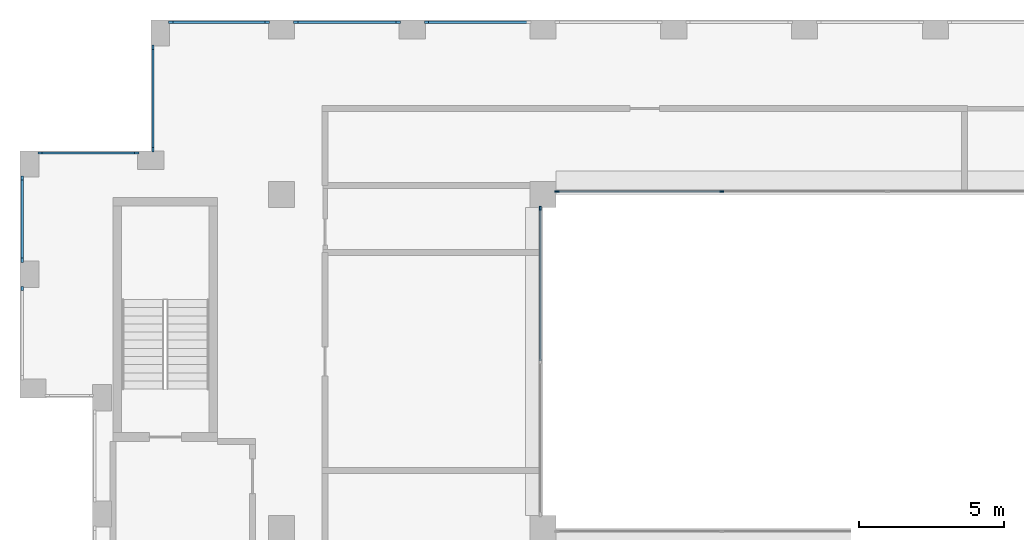
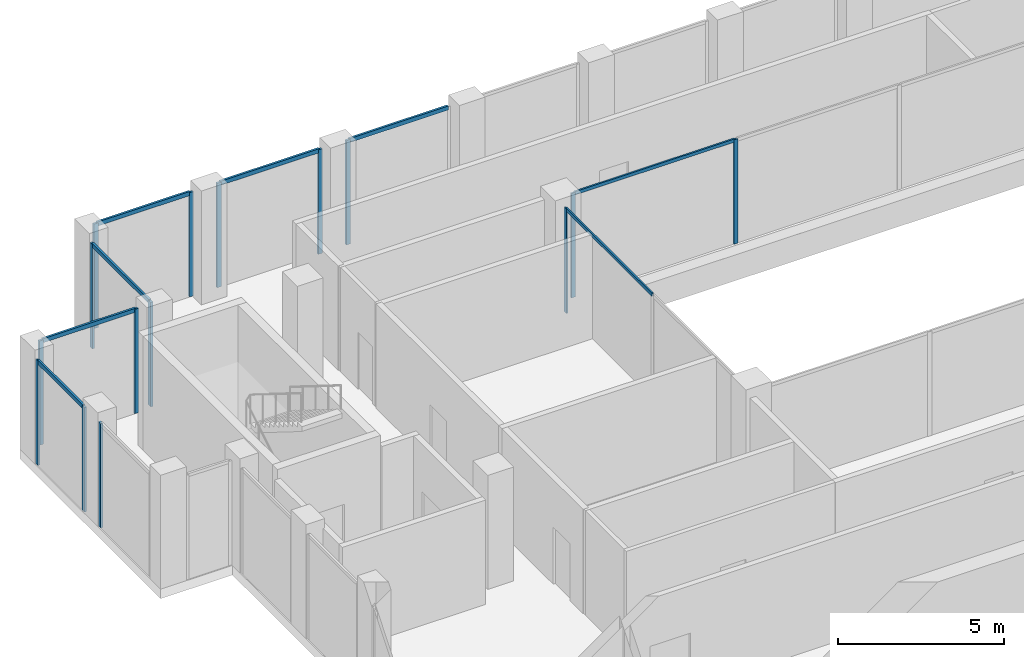
# One storey, part 7 of 15: 23 members, 9 elements without a shape of their own.
"""IFC4 building model written with IfcOpenShell, lengths in metres."""

from ifc_helpers import new_model, si_unit, direction, frame, origin, origin_2d, place, context, subcontext, project, spatial, rectangle, extrude, material, layer, layer_set, material_profile, profile_set, type_object, element, aggregate, save


model = new_model("IFC4")

# Units and contexts
model_context = context("Model", 3, precision=1e-05, world=origin(), true_north=direction((0.0, 1.0)))
body_context = subcontext(model_context, "Body", "Model", "MODEL_VIEW")
ifc_project = project(units=[si_unit("LENGTHUNIT", "METRE"), si_unit("AREAUNIT", "SQUARE_METRE"), si_unit("VOLUMEUNIT", "CUBIC_METRE"), si_unit("PLANEANGLEUNIT", "RADIAN"), si_unit("MASSUNIT", "GRAM", prefix="KILO")], contexts=[model_context])

# Site, building, storey
site_placement = place(None, origin())
site = spatial("IfcSite", under=ifc_project, at=site_placement, CompositionType="ELEMENT")
building_placement = place(site_placement, origin())
building = spatial("IfcBuilding", under=site, at=building_placement, Name="Brigalow Station Residences", CompositionType="ELEMENT")
storey_placement = place(building_placement, frame((0.0, 0.0, 240.0)))
storey = spatial("IfcBuildingStorey", under=building, at=storey_placement, Name="L69", CompositionType="ELEMENT", Elevation=240.0)

# Curtain wall, members
ifc_material_1 = material(Name="Aluminium", Category="aluminium")
ifc_layer_1 = layer(ifc_material_1, 0.14990234375)
ifc_layer_set_1 = layer_set([ifc_layer_1], Name="ATRIUM FIRE-RATED GLAZING CURTAIN WALL")
curtain_wall_type_1 = type_object("IfcCurtainWallType", Name="ATRIUM FIRE-RATED GLAZING CURTAIN WALL", PredefinedType="NOTDEFINED", material=ifc_layer_set_1)
curtain_wall_1_placement = place(storey_placement, origin())
curtain_wall_1 = element("IfcCurtainWall", 1, at=curtain_wall_1_placement, inside=storey, type_object=curtain_wall_type_1, Name="L69/cw/atrium-N", PredefinedType="NOTDEFINED")
ifc_material_2 = material(Name="Aluminium", Category="aluminium")
ifc_material_profile_1 = material_profile(ifc_material_2, rectangle(XDim=0.06005859375, YDim=0.14990234375, at=origin_2d()), Name="ATRIUM FIRE-RATED GLAZING MULLION 60x150")
ifc_profile_set_1 = profile_set([ifc_material_profile_1], Name="Aluminium")
member_type_1 = type_object("IfcMemberType", Name="ATRIUM FIRE-RATED GLAZING MULLION 60x150", PredefinedType="MULLION", material=ifc_profile_set_1)
member_1_placement = place(storey_placement, frame((33.14990234375, 35.60009765625, 0.0), z_axis=(0.0, 0.0, 1.0), x_axis=(0.0, -1.0, 0.0)))
member_1 = element("IfcMember", 2, at=member_1_placement, type_object=member_type_1, Name="L69/cw/atrium-N/M02", PredefinedType="MULLION", context=body_context, shape_type="SweptSolid", body=[
    extrude(rectangle(XDim=0.06005859375, YDim=0.14990234375, at=origin_2d()), origin(), (0.0, 0.0, 1.0), 3.85009765625),
])
member_2_placement = place(storey_placement, frame((27.47998046875, 35.60009765625, 0.0), z_axis=(0.0, 0.0, 1.0), x_axis=(0.0, -1.0, 0.0)))
member_2 = element("IfcMember", 3, at=member_2_placement, type_object=member_type_1, Name="L69/cw/atrium-N/M03", PredefinedType="MULLION", context=body_context, shape_type="SweptSolid", body=[
    extrude(rectangle(XDim=0.06005859375, YDim=0.14990234375, at=origin_2d()), origin(), (0.0, 0.0, 1.0), 3.85009765625),
])

# Curtain wall, member
curtain_wall_2_placement = place(storey_placement, origin())
curtain_wall_2 = element("IfcCurtainWall", 4, at=curtain_wall_2_placement, inside=storey, type_object=curtain_wall_type_1, Name="L69/cw/atrium-W", PredefinedType="NOTDEFINED")
member_3_placement = place(storey_placement, frame((26.89990234375, 35.02001953125, 0.0), z_axis=(0.0, 0.0, 1.0), x_axis=(1.0, 0.0, 0.0)))
member_3 = element("IfcMember", 5, at=member_3_placement, type_object=member_type_1, Name="L69/cw/atrium-W/M00", PredefinedType="MULLION", context=body_context, shape_type="SweptSolid", body=[
    extrude(rectangle(XDim=0.06005859375, YDim=0.14990234375, at=origin_2d()), origin(), (0.0, 0.0, 1.0), 3.85009765625),
])

# Member
ifc_material_3 = material(Name="Aluminium", Category="aluminium")
ifc_material_profile_2 = material_profile(ifc_material_3, rectangle(XDim=0.06005859375, YDim=0.1201171875, at=origin_2d()), Name="ATRIUM FIRE-RATED GLAZING TRANSOM 60x120")
ifc_profile_set_2 = profile_set([ifc_material_profile_2], Name="Aluminium")
member_type_2 = type_object("IfcMemberType", Name="ATRIUM FIRE-RATED GLAZING TRANSOM 60x120", PredefinedType="USERDEFINED", material=ifc_profile_set_2)
member_4_placement = place(storey_placement, frame((33.1201171875, 35.60009765625, 3.820068359375), z_axis=(-1.0, 0.0, 0.0), x_axis=(0.0, -1.0, 0.0)))
member_4 = element("IfcMember", 6, at=member_4_placement, type_object=member_type_2, Name="L69/cw/atrium-N/T02-00", ObjectType="TRANSOM", PredefinedType="USERDEFINED", context=body_context, shape_type="SweptSolid", body=[
    extrude(rectangle(XDim=0.06005859375, YDim=0.1201171875, at=origin_2d()), origin(), (0.0, 0.0, 1.0), 5.610107421875),
])

aggregate(curtain_wall_1, [member_1, member_2, member_4])

member_5_placement = place(storey_placement, frame((26.89990234375, 34.989990234375, 3.820068359375), z_axis=(0.0, -1.0, 0.0), x_axis=(1.0, 0.0, 0.0)))
member_5 = element("IfcMember", 7, at=member_5_placement, type_object=member_type_2, Name="L69/cw/atrium-W/T00-00", ObjectType="TRANSOM", PredefinedType="USERDEFINED", context=body_context, shape_type="SweptSolid", body=[
    extrude(rectangle(XDim=0.06005859375, YDim=0.1201171875, at=origin_2d()), origin(), (0.0, 0.0, 1.0), 5.2099609375),
])

aggregate(curtain_wall_2, [member_3, member_5])

# Curtain wall, member
ifc_material_4 = material(Name="Aluminium", Category="aluminium")
ifc_layer_2 = layer(ifc_material_4, 0.14990234375)
ifc_layer_set_2 = layer_set([ifc_layer_2], Name="CROWN CURTAIN WALL")
curtain_wall_type_2 = type_object("IfcCurtainWallType", Name="CROWN CURTAIN WALL", PredefinedType="NOTDEFINED", material=ifc_layer_set_2)
curtain_wall_3_placement = place(storey_placement, origin())
curtain_wall_3 = element("IfcCurtainWall", 8, at=curtain_wall_3_placement, inside=storey, type_object=curtain_wall_type_2, Name="L69/cw/crown-W-L69-20-28", PredefinedType="NOTDEFINED")
ifc_material_5 = material(Name="Aluminium", Category="aluminium")
ifc_material_profile_3 = material_profile(ifc_material_5, rectangle(XDim=0.074951171875, YDim=0.14990234375, at=origin_2d()), Name="CROWN MULLION 75x150")
ifc_profile_set_3 = profile_set([ifc_material_profile_3], Name="Aluminium")
member_type_3 = type_object("IfcMemberType", Name="CROWN MULLION 75x150", PredefinedType="MULLION", material=ifc_profile_set_3)
member_6_placement = place(storey_placement, frame((22.987548828125, 41.425048828125, 0.0), z_axis=(0.0, 0.0, 1.0), x_axis=(0.0, -1.0, 0.0)))
member_6 = element("IfcMember", 9, at=member_6_placement, type_object=member_type_3, Name="L69/cw/crown-W-L69-20-28/M01", PredefinedType="MULLION", context=body_context, shape_type="SweptSolid", body=[
    extrude(rectangle(XDim=0.074951171875, YDim=0.14990234375, at=origin_2d()), origin(), (0.0, 0.0, 1.0), 3.85009765625),
])

# Curtain wall, members
curtain_wall_4_placement = place(storey_placement, origin())
curtain_wall_4 = element("IfcCurtainWall", 10, at=curtain_wall_4_placement, inside=storey, type_object=curtain_wall_type_2, Name="L69/cw/crown-W-L69-20-29", PredefinedType="NOTDEFINED")
member_7_placement = place(storey_placement, frame((22.012451171875, 41.425048828125, 0.0), z_axis=(0.0, 0.0, 1.0), x_axis=(0.0, -1.0, 0.0)))
member_7 = element("IfcMember", 11, at=member_7_placement, type_object=member_type_3, Name="L69/cw/crown-W-L69-20-29/M00", PredefinedType="MULLION", context=body_context, shape_type="SweptSolid", body=[
    extrude(rectangle(XDim=0.074951171875, YDim=0.14990234375, at=origin_2d()), origin(), (0.0, 0.0, 1.0), 3.85009765625),
])
member_8_placement = place(storey_placement, frame((18.487548828125, 41.425048828125, 0.0), z_axis=(0.0, 0.0, 1.0), x_axis=(0.0, -1.0, 0.0)))
member_8 = element("IfcMember", 12, at=member_8_placement, type_object=member_type_3, Name="L69/cw/crown-W-L69-20-29/M01", PredefinedType="MULLION", context=body_context, shape_type="SweptSolid", body=[
    extrude(rectangle(XDim=0.074951171875, YDim=0.14990234375, at=origin_2d()), origin(), (0.0, 0.0, 1.0), 3.85009765625),
])

curtain_wall_5_placement = place(storey_placement, origin())
curtain_wall_5 = element("IfcCurtainWall", 13, at=curtain_wall_5_placement, inside=storey, type_object=curtain_wall_type_2, Name="L69/cw/crown-W-L69-20-30", PredefinedType="NOTDEFINED")
member_9_placement = place(storey_placement, frame((17.512451171875, 41.425048828125, 0.0), z_axis=(0.0, 0.0, 1.0), x_axis=(0.0, -1.0, 0.0)))
member_9 = element("IfcMember", 14, at=member_9_placement, type_object=member_type_3, Name="L69/cw/crown-W-L69-20-30/M00", PredefinedType="MULLION", context=body_context, shape_type="SweptSolid", body=[
    extrude(rectangle(XDim=0.074951171875, YDim=0.14990234375, at=origin_2d()), origin(), (0.0, 0.0, 1.0), 3.85009765625),
])
member_10_placement = place(storey_placement, frame((14.1875, 41.425048828125, 0.0), z_axis=(0.0, 0.0, 1.0), x_axis=(0.0, -1.0, 0.0)))
member_10 = element("IfcMember", 15, at=member_10_placement, type_object=member_type_3, Name="L69/cw/crown-W-L69-20-30/M01", PredefinedType="MULLION", context=body_context, shape_type="SweptSolid", body=[
    extrude(rectangle(XDim=0.074951171875, YDim=0.14990234375, at=origin_2d()), origin(), (0.0, 0.0, 1.0), 3.85009765625),
])

curtain_wall_6_placement = place(storey_placement, origin())
curtain_wall_6 = element("IfcCurtainWall", 16, at=curtain_wall_6_placement, inside=storey, type_object=curtain_wall_type_2, Name="L69/cw/crown-W-L69-32-31", PredefinedType="NOTDEFINED")
member_11_placement = place(storey_placement, frame((13.574951171875, 40.5625, 0.0), z_axis=(0.0, 0.0, 1.0), x_axis=(1.0, 0.0, 0.0)))
member_11 = element("IfcMember", 17, at=member_11_placement, type_object=member_type_3, Name="L69/cw/crown-W-L69-32-31/M00", PredefinedType="MULLION", context=body_context, shape_type="SweptSolid", body=[
    extrude(rectangle(XDim=0.074951171875, YDim=0.14990234375, at=origin_2d()), origin(), (0.0, 0.0, 1.0), 3.85009765625),
])
member_12_placement = place(storey_placement, frame((13.574951171875, 37.03759765625, 0.0), z_axis=(0.0, 0.0, 1.0), x_axis=(1.0, 0.0, 0.0)))
member_12 = element("IfcMember", 18, at=member_12_placement, type_object=member_type_3, Name="L69/cw/crown-W-L69-32-31/M01", PredefinedType="MULLION", context=body_context, shape_type="SweptSolid", body=[
    extrude(rectangle(XDim=0.074951171875, YDim=0.14990234375, at=origin_2d()), origin(), (0.0, 0.0, 1.0), 3.85009765625),
])

curtain_wall_7_placement = place(storey_placement, origin())
curtain_wall_7 = element("IfcCurtainWall", 19, at=curtain_wall_7_placement, inside=storey, type_object=curtain_wall_type_2, Name="L69/cw/crown-W-L69-33-32", PredefinedType="NOTDEFINED")
member_13_placement = place(storey_placement, frame((13.012451171875, 36.925048828125, 0.0), z_axis=(0.0, 0.0, 1.0), x_axis=(0.0, -1.0, 0.0)))
member_13 = element("IfcMember", 20, at=member_13_placement, type_object=member_type_3, Name="L69/cw/crown-W-L69-33-32/M00", PredefinedType="MULLION", context=body_context, shape_type="SweptSolid", body=[
    extrude(rectangle(XDim=0.074951171875, YDim=0.14990234375, at=origin_2d()), origin(), (0.0, 0.0, 1.0), 3.85009765625),
])
member_14_placement = place(storey_placement, frame((9.6875, 36.925048828125, 0.0), z_axis=(0.0, 0.0, 1.0), x_axis=(0.0, -1.0, 0.0)))
member_14 = element("IfcMember", 21, at=member_14_placement, type_object=member_type_3, Name="L69/cw/crown-W-L69-33-32/M01", PredefinedType="MULLION", context=body_context, shape_type="SweptSolid", body=[
    extrude(rectangle(XDim=0.074951171875, YDim=0.14990234375, at=origin_2d()), origin(), (0.0, 0.0, 1.0), 3.85009765625),
])

curtain_wall_8_placement = place(storey_placement, origin())
curtain_wall_8 = element("IfcCurtainWall", 22, at=curtain_wall_8_placement, inside=storey, type_object=curtain_wall_type_2, Name="L69/cw/crown-W-L69-34-33", PredefinedType="NOTDEFINED")
member_15_placement = place(storey_placement, frame((9.074951171875, 36.0625, 0.0), z_axis=(0.0, 0.0, 1.0), x_axis=(1.0, 0.0, 0.0)))
member_15 = element("IfcMember", 23, at=member_15_placement, type_object=member_type_3, Name="L69/cw/crown-W-L69-34-33/M00", PredefinedType="MULLION", context=body_context, shape_type="SweptSolid", body=[
    extrude(rectangle(XDim=0.074951171875, YDim=0.14990234375, at=origin_2d()), origin(), (0.0, 0.0, 1.0), 3.85009765625),
])
member_16_placement = place(storey_placement, frame((9.074951171875, 33.237548828125, 0.0), z_axis=(0.0, 0.0, 1.0), x_axis=(1.0, 0.0, 0.0)))
member_16 = element("IfcMember", 24, at=member_16_placement, type_object=member_type_3, Name="L69/cw/crown-W-L69-34-33/M01", PredefinedType="MULLION", context=body_context, shape_type="SweptSolid", body=[
    extrude(rectangle(XDim=0.074951171875, YDim=0.14990234375, at=origin_2d()), origin(), (0.0, 0.0, 1.0), 3.85009765625),
])

# Curtain wall, member
curtain_wall_9_placement = place(storey_placement, origin())
curtain_wall_9 = element("IfcCurtainWall", 25, at=curtain_wall_9_placement, inside=storey, type_object=curtain_wall_type_2, Name="L69/cw/crown-W-L69-34-34", PredefinedType="NOTDEFINED")
member_17_placement = place(storey_placement, frame((9.074951171875, 32.262451171875, 0.0), z_axis=(0.0, 0.0, 1.0), x_axis=(1.0, 0.0, 0.0)))
member_17 = element("IfcMember", 26, at=member_17_placement, type_object=member_type_3, Name="L69/cw/crown-W-L69-34-34/M00", PredefinedType="MULLION", context=body_context, shape_type="SweptSolid", body=[
    extrude(rectangle(XDim=0.074951171875, YDim=0.14990234375, at=origin_2d()), origin(), (0.0, 0.0, 1.0), 3.85009765625),
])
aggregate(curtain_wall_9, [member_17])

# Member
ifc_material_6 = material(Name="Aluminium", Category="aluminium")
ifc_material_profile_4 = material_profile(ifc_material_6, rectangle(XDim=0.074951171875, YDim=0.14990234375, at=origin_2d()), Name="CROWN TRANSOM 75x150")
ifc_profile_set_4 = profile_set([ifc_material_profile_4], Name="Aluminium")
member_type_4 = type_object("IfcMemberType", Name="CROWN TRANSOM 75x150", PredefinedType="USERDEFINED", material=ifc_profile_set_4)
member_18_placement = place(storey_placement, frame((26.47509765625, 41.425048828125, 3.8125), z_axis=(-1.0, 0.0, 0.0), x_axis=(0.0, -1.0, 0.0)))
member_18 = element("IfcMember", 27, at=member_18_placement, type_object=member_type_4, Name="L69/cw/crown-W-L69-20-28/T00-00", ObjectType="TRANSOM", PredefinedType="USERDEFINED", context=body_context, shape_type="SweptSolid", body=[
    extrude(rectangle(XDim=0.074951171875, YDim=0.14990234375, at=origin_2d()), origin(), (0.0, 0.0, 1.0), 3.4501953125),
])

aggregate(curtain_wall_3, [member_6, member_18])

member_19_placement = place(storey_placement, frame((21.97509765625, 41.425048828125, 3.8125), z_axis=(-1.0, 0.0, 0.0), x_axis=(0.0, -1.0, 0.0)))
member_19 = element("IfcMember", 28, at=member_19_placement, type_object=member_type_4, Name="L69/cw/crown-W-L69-20-29/T00-00", ObjectType="TRANSOM", PredefinedType="USERDEFINED", context=body_context, shape_type="SweptSolid", body=[
    extrude(rectangle(XDim=0.074951171875, YDim=0.14990234375, at=origin_2d()), origin(), (0.0, 0.0, 1.0), 3.4501953125),
])

aggregate(curtain_wall_4, [member_7, member_8, member_19])

member_20_placement = place(storey_placement, frame((17.47509765625, 41.425048828125, 3.8125), z_axis=(-1.0, 0.0, 0.0), x_axis=(0.0, -1.0, 0.0)))
member_20 = element("IfcMember", 29, at=member_20_placement, type_object=member_type_4, Name="L69/cw/crown-W-L69-20-30/T00-00", ObjectType="TRANSOM", PredefinedType="USERDEFINED", context=body_context, shape_type="SweptSolid", body=[
    extrude(rectangle(XDim=0.074951171875, YDim=0.14990234375, at=origin_2d()), origin(), (0.0, 0.0, 1.0), 3.25),
])

aggregate(curtain_wall_5, [member_9, member_10, member_20])

member_21_placement = place(storey_placement, frame((13.574951171875, 40.52490234375, 3.8125), z_axis=(0.0, -1.0, 0.0), x_axis=(1.0, 0.0, 0.0)))
member_21 = element("IfcMember", 30, at=member_21_placement, type_object=member_type_4, Name="L69/cw/crown-W-L69-32-31/T00-00", ObjectType="TRANSOM", PredefinedType="USERDEFINED", context=body_context, shape_type="SweptSolid", body=[
    extrude(rectangle(XDim=0.074951171875, YDim=0.14990234375, at=origin_2d()), origin(), (0.0, 0.0, 1.0), 3.449951171875),
])

aggregate(curtain_wall_6, [member_11, member_12, member_21])

member_22_placement = place(storey_placement, frame((12.97509765625, 36.925048828125, 3.8125), z_axis=(-1.0, 0.0, 0.0), x_axis=(0.0, -1.0, 0.0)))
member_22 = element("IfcMember", 31, at=member_22_placement, type_object=member_type_4, Name="L69/cw/crown-W-L69-33-32/T00-00", ObjectType="TRANSOM", PredefinedType="USERDEFINED", context=body_context, shape_type="SweptSolid", body=[
    extrude(rectangle(XDim=0.074951171875, YDim=0.14990234375, at=origin_2d()), origin(), (0.0, 0.0, 1.0), 3.25),
])

aggregate(curtain_wall_7, [member_13, member_14, member_22])

member_23_placement = place(storey_placement, frame((9.074951171875, 36.02490234375, 3.8125), z_axis=(0.0, -1.0, 0.0), x_axis=(1.0, 0.0, 0.0)))
member_23 = element("IfcMember", 32, at=member_23_placement, type_object=member_type_4, Name="L69/cw/crown-W-L69-34-33/T00-00", ObjectType="TRANSOM", PredefinedType="USERDEFINED", context=body_context, shape_type="SweptSolid", body=[
    extrude(rectangle(XDim=0.074951171875, YDim=0.14990234375, at=origin_2d()), origin(), (0.0, 0.0, 1.0), 2.75),
])

aggregate(curtain_wall_8, [member_15, member_16, member_23])

save(model, "model.ifc")
